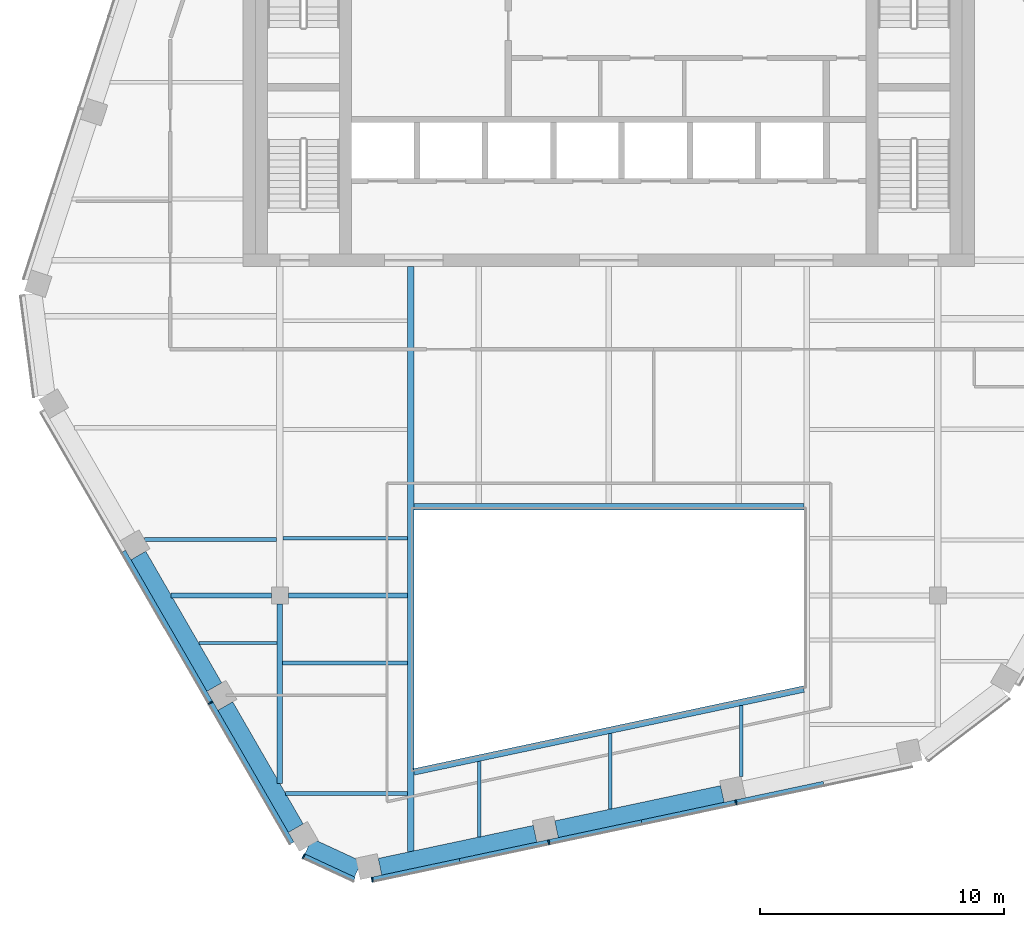
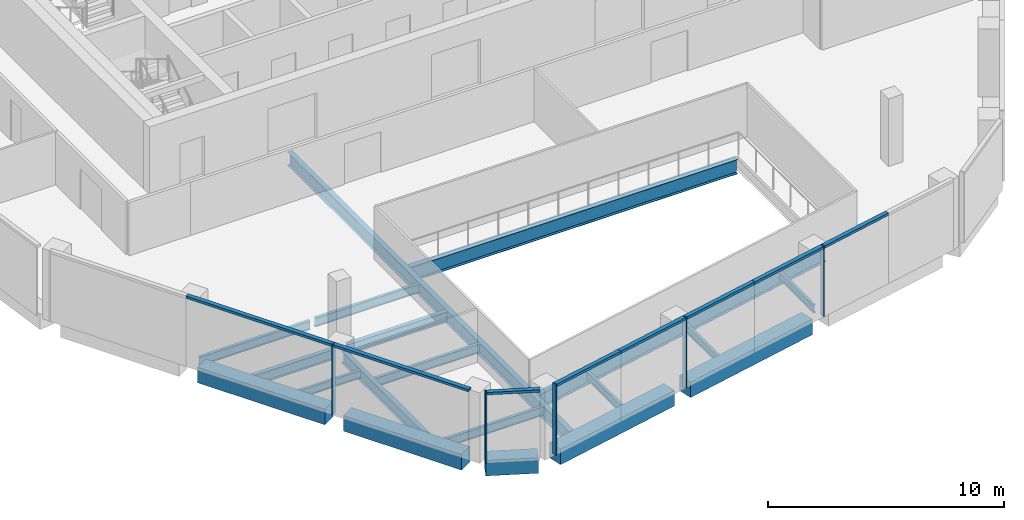
# One storey, part 2 of 15: 19 beams, 13 members, 3 elements without a shape of their own.
"""IFC4 building model written with IfcOpenShell, lengths in metres."""

from ifc_helpers import new_model, si_unit, direction, frame, origin, origin_2d, place, context, subcontext, project, spatial, rectangle, i_section, extrude, material, layer, layer_set, material_profile, profile_set, type_object, element, aggregate, save


model = new_model("IFC4")

# Units and contexts
model_context = context("Model", 3, precision=1e-05, world=origin(), true_north=direction((0.0, 1.0)))
body_context = subcontext(model_context, "Body", "Model", "MODEL_VIEW")
ifc_project = project(units=[si_unit("LENGTHUNIT", "METRE"), si_unit("AREAUNIT", "SQUARE_METRE"), si_unit("VOLUMEUNIT", "CUBIC_METRE"), si_unit("PLANEANGLEUNIT", "RADIAN"), si_unit("MASSUNIT", "GRAM", prefix="KILO")], contexts=[model_context])

# Site, building, storey
site_placement = place(None, origin())
site = spatial("IfcSite", under=ifc_project, at=site_placement, CompositionType="ELEMENT")
building_placement = place(site_placement, origin())
building = spatial("IfcBuilding", under=site, at=building_placement, Name="Isthmus Gate Tower", CompositionType="ELEMENT")
storey_placement = place(building_placement, frame((0.0, 0.0, 282.85009765625)))
storey = spatial("IfcBuildingStorey", under=building, at=storey_placement, Name="L72", CompositionType="ELEMENT", Elevation=282.85009765625)

# Curtain wall, member
ifc_material_1 = material(Name="Aluminium, pale champagne anodised", Category="aluminium")
ifc_layer = layer(ifc_material_1, 0.199951171875)
ifc_layer_set = layer_set([ifc_layer], Name="CW-1 UNITISED CURTAIN WALL 200 DEEP")
curtain_wall_type = type_object("IfcCurtainWallType", Name="CW-1 UNITISED CURTAIN WALL 200 DEEP", PredefinedType="NOTDEFINED", material=ifc_layer_set)
curtain_wall_1_placement = place(storey_placement, origin())
curtain_wall_1 = element("IfcCurtainWall", 1, at=curtain_wall_1_placement, inside=storey, type_object=curtain_wall_type, Name="CW-1 SW L72", PredefinedType="NOTDEFINED")
ifc_material_2 = material(Name="Aluminium, pale champagne anodised", Category="aluminium")
ifc_material_profile_1 = material_profile(ifc_material_2, rectangle(XDim=0.06005859375, YDim=0.199951171875, at=origin_2d()), Name="60x200")
ifc_profile_set_1 = profile_set([ifc_material_profile_1], Name="Aluminium, pale champagne anodised")
member_type_1 = type_object("IfcMemberType", Name="CW-1 MULLION 60 X 200", PredefinedType="MULLION", material=ifc_profile_set_1)
member_1_placement = place(storey_placement, frame((-16.33544921875, -17.90625, 0.0), z_axis=(0.0, 0.0, 1.0), x_axis=(0.5, -0.866025403784, 0.0)))
member_1 = element("IfcMember", 2, at=member_1_placement, type_object=member_type_1, Name="CW-1 mullion", PredefinedType="MULLION", context=body_context, shape_type="SweptSolid", body=[
    extrude(rectangle(XDim=0.06005859375, YDim=0.199951171875, at=origin_2d()), origin(), (0.0, 0.0, 1.0), 3.64990234375),
])

curtain_wall_2_placement = place(storey_placement, origin())
curtain_wall_2 = element("IfcCurtainWall", 3, at=curtain_wall_2_placement, inside=storey, type_object=curtain_wall_type, Name="CW-1 SW-S L72", PredefinedType="NOTDEFINED")
member_2_placement = place(storey_placement, frame((-12.519775390625, -24.201171875, 0.0), z_axis=(0.0, 0.0, 1.0), x_axis=(0.907256261367, -0.420578264073, 0.0)))
member_2 = element("IfcMember", 4, at=member_2_placement, type_object=member_type_1, Name="CW-1 mullion", PredefinedType="MULLION", context=body_context, shape_type="SweptSolid", body=[
    extrude(rectangle(XDim=0.06005859375, YDim=0.199951171875, at=origin_2d()), origin(), (0.0, 0.0, 1.0), 3.64990234375),
])

# Curtain wall, members
curtain_wall_3_placement = place(storey_placement, origin())
curtain_wall_3 = element("IfcCurtainWall", 5, at=curtain_wall_3_placement, inside=storey, type_object=curtain_wall_type, Name="CW-1 S L72", PredefinedType="NOTDEFINED")
member_3_placement = place(storey_placement, frame((-9.70703125, -25.16552734375, 0.0), z_axis=(0.0, 0.0, 1.0), x_axis=(0.978147600734, 0.207911690818, 0.0)))
member_3 = element("IfcMember", 6, at=member_3_placement, type_object=member_type_1, Name="CW-1 mullion", PredefinedType="MULLION", context=body_context, shape_type="SweptSolid", body=[
    extrude(rectangle(XDim=0.06005859375, YDim=0.199951171875, at=origin_2d()), origin(), (0.0, 0.0, 1.0), 3.64990234375),
])
member_4_placement = place(storey_placement, frame((-2.462158203125, -23.62548828125, 0.0), z_axis=(0.0, 0.0, 1.0), x_axis=(0.978147600734, 0.207911690818, 0.0)))
member_4 = element("IfcMember", 7, at=member_4_placement, type_object=member_type_1, Name="CW-1 mullion", PredefinedType="MULLION", context=body_context, shape_type="SweptSolid", body=[
    extrude(rectangle(XDim=0.06005859375, YDim=0.199951171875, at=origin_2d()), origin(), (0.0, 0.0, 1.0), 3.64990234375),
])
member_5_placement = place(storey_placement, frame((5.222900390625, -21.991943359375, 0.0), z_axis=(0.0, 0.0, 1.0), x_axis=(0.978147600734, 0.207911690818, 0.0)))
member_5 = element("IfcMember", 8, at=member_5_placement, type_object=member_type_1, Name="CW-1 mullion", PredefinedType="MULLION", context=body_context, shape_type="SweptSolid", body=[
    extrude(rectangle(XDim=0.06005859375, YDim=0.199951171875, at=origin_2d()), origin(), (0.0, 0.0, 1.0), 3.64990234375),
])

# Member
ifc_material_3 = material(Name="Aluminium, pale champagne anodised", Category="aluminium")
ifc_material_profile_2 = material_profile(ifc_material_3, rectangle(XDim=0.199951171875, YDim=0.1298828125, at=origin_2d()), Name="200x130")
ifc_profile_set_2 = profile_set([ifc_material_profile_2], Name="Aluminium, pale champagne anodised")
member_type_2 = type_object("IfcMemberType", Name="CW-1 TRANSOM 200 X 130", PredefinedType="USERDEFINED", material=ifc_profile_set_2)
member_6_placement = place(storey_placement, frame((-19.917724609375, -11.70166015625, 3.5849609375), z_axis=(0.500010763282, -0.866019189511, 0.0), x_axis=(0.866019189511, 0.500010763282, 0.0)))
member_6 = element("IfcMember", 9, at=member_6_placement, type_object=member_type_2, Name="CW-1 transom", ObjectType="TRANSOM", PredefinedType="USERDEFINED", context=body_context, shape_type="SweptSolid", body=[
    extrude(rectangle(XDim=0.199951171875, YDim=0.1298828125, at=origin_2d()), origin(), (0.0, 0.0, 1.0), 7.134521484375),
])

member_7_placement = place(storey_placement, frame((-16.3203125, -17.932373046875, 3.5849609375), z_axis=(0.500011702555, -0.866018647206, 0.0), x_axis=(0.866018647206, 0.500011702555, 0.0)))
member_7 = element("IfcMember", 10, at=member_7_placement, type_object=member_type_2, Name="CW-1 transom", ObjectType="TRANSOM", PredefinedType="USERDEFINED", context=body_context, shape_type="SweptSolid", body=[
    extrude(rectangle(XDim=0.199951171875, YDim=0.1298828125, at=origin_2d()), origin(), (0.0, 0.0, 1.0), 6.624267578125),
])

aggregate(curtain_wall_1, [member_6, member_1, member_7])

member_8_placement = place(storey_placement, frame((-12.49267578125, -24.213623046875, 3.5849609375), z_axis=(0.907246225564, -0.420599912268, 0.0), x_axis=(0.420599912268, 0.907246225564, 0.0)))
member_8 = element("IfcMember", 11, at=member_8_placement, type_object=member_type_2, Name="CW-1 transom", ObjectType="TRANSOM", PredefinedType="USERDEFINED", context=body_context, shape_type="SweptSolid", body=[
    extrude(rectangle(XDim=0.199951171875, YDim=0.1298828125, at=origin_2d()), origin(), (0.0, 0.0, 1.0), 2.258544921875),
])

aggregate(curtain_wall_2, [member_2, member_8])

member_9_placement = place(storey_placement, frame((-9.677734375, -25.1591796875, 3.5849609375), z_axis=(0.9781569775, 0.207867571707, 0.0), x_axis=(-0.207867571707, 0.9781569775, 0.0)))
member_9 = element("IfcMember", 12, at=member_9_placement, type_object=member_type_2, Name="CW-1 transom", ObjectType="TRANSOM", PredefinedType="USERDEFINED", context=body_context, shape_type="SweptSolid", body=[
    extrude(rectangle(XDim=0.199951171875, YDim=0.1298828125, at=origin_2d()), origin(), (0.0, 0.0, 1.0), 3.643310546875),
])

member_10_placement = place(storey_placement, frame((-6.114013671875, -24.40185546875, 3.5849609375), z_axis=(0.978146451283, 0.207917098487, 0.0), x_axis=(-0.207917098487, 0.978146451283, 0.0)))
member_10 = element("IfcMember", 13, at=member_10_placement, type_object=member_type_2, Name="CW-1 transom", ObjectType="TRANSOM", PredefinedType="USERDEFINED", context=body_context, shape_type="SweptSolid", body=[
    extrude(rectangle(XDim=0.199951171875, YDim=0.1298828125, at=origin_2d()), origin(), (0.0, 0.0, 1.0), 3.70361328125),
])

member_11_placement = place(storey_placement, frame((-2.432861328125, -23.619384765625, 3.5849609375), z_axis=(0.978140080964, 0.207947065409, 0.0), x_axis=(-0.207947065409, 0.978140080964, 0.0)))
member_11 = element("IfcMember", 14, at=member_11_placement, type_object=member_type_2, Name="CW-1 transom", ObjectType="TRANSOM", PredefinedType="USERDEFINED", context=body_context, shape_type="SweptSolid", body=[
    extrude(rectangle(XDim=0.199951171875, YDim=0.1298828125, at=origin_2d()), origin(), (0.0, 0.0, 1.0), 3.868408203125),
])

member_12_placement = place(storey_placement, frame((1.35107421875, -22.81494140625, 3.5849609375), z_axis=(0.978153006411, 0.207886257478, 0.0), x_axis=(-0.207886257478, 0.978153006411, 0.0)))
member_12 = element("IfcMember", 15, at=member_12_placement, type_object=member_type_2, Name="CW-1 transom", ObjectType="TRANSOM", PredefinedType="USERDEFINED", context=body_context, shape_type="SweptSolid", body=[
    extrude(rectangle(XDim=0.199951171875, YDim=0.1298828125, at=origin_2d()), origin(), (0.0, 0.0, 1.0), 3.928466796875),
])

member_13_placement = place(storey_placement, frame((5.25244140625, -21.98583984375, 3.5849609375), z_axis=(0.978143350472, 0.207931685724, 0.0), x_axis=(-0.207931685724, 0.978143350472, 0.0)))
member_13 = element("IfcMember", 16, at=member_13_placement, type_object=member_type_2, Name="CW-1 transom", ObjectType="TRANSOM", PredefinedType="USERDEFINED", context=body_context, shape_type="SweptSolid", body=[
    extrude(rectangle(XDim=0.199951171875, YDim=0.1298828125, at=origin_2d()), origin(), (0.0, 0.0, 1.0), 3.643310546875),
])

aggregate(curtain_wall_3, [member_3, member_9, member_10, member_4, member_11, member_12, member_5, member_13])

# Beams
ifc_material_4 = material(Name="Concrete f'c 50 MPa", Category="concrete")
ifc_material_profile_3 = material_profile(ifc_material_4, rectangle(XDim=0.699951171875, YDim=0.800048828125, at=origin_2d()), Name="RC 700X800")
ifc_profile_set_3 = profile_set([ifc_material_profile_3], Name="Concrete f'c 50 MPa")
beam_type_1 = type_object("IfcBeamType", Name="RC SPANDREL 700 X 800", PredefinedType="SPANDREL", material=ifc_profile_set_3)
beam_1_placement = place(storey_placement, frame((4.659912109375, -21.651611328125, -0.400146484375), z_axis=(-0.978143150477, -0.207932626528, 0.0), x_axis=(0.207932626528, -0.978143150477, 0.0)))
element("IfcBeam", 17, at=beam_1_placement, inside=storey, type_object=beam_type_1, Name="str-spandrel-L72-10", PredefinedType="SPANDREL", context=body_context, shape_type="SweptSolid", body=[
    extrude(rectangle(XDim=0.699951171875, YDim=0.800048828125, at=origin_2d()), origin(), (0.0, 0.0, 1.0), 6.956787109375),
])
beam_2_placement = place(storey_placement, frame((-3.025146484375, -23.28515625, -0.400146484375), z_axis=(-0.97815026796, -0.207899142108, 0.0), x_axis=(0.207899142108, -0.97815026796, 0.0)))
element("IfcBeam", 18, at=beam_2_placement, inside=storey, type_object=beam_type_1, Name="str-spandrel-L72-11", PredefinedType="SPANDREL", context=body_context, shape_type="SweptSolid", body=[
    extrude(rectangle(XDim=0.699951171875, YDim=0.800048828125, at=origin_2d()), origin(), (0.0, 0.0, 1.0), 6.5068359375),
])
beam_3_placement = place(storey_placement, frame((-10.288330078125, -24.739501953125, -0.400146484375), z_axis=(-0.907254968276, 0.42058105347, 0.0), x_axis=(-0.42058105347, -0.907254968276, 0.0)))
element("IfcBeam", 19, at=beam_3_placement, inside=storey, type_object=beam_type_1, Name="str-spandrel-L72-12", PredefinedType="SPANDREL", context=body_context, shape_type="SweptSolid", body=[
    extrude(rectangle(XDim=0.699951171875, YDim=0.800048828125, at=origin_2d()), origin(), (0.0, 0.0, 1.0), 2.245849609375),
])
beam_4_placement = place(storey_placement, frame((-12.843505859375, -23.0546875, -0.400146484375), z_axis=(-0.499961143711, 0.866047836311, 0.0), x_axis=(-0.866047836311, -0.499961143711, 0.0)))
element("IfcBeam", 20, at=beam_4_placement, inside=storey, type_object=beam_type_1, Name="str-spandrel-L72-13", PredefinedType="SPANDREL", context=body_context, shape_type="SweptSolid", body=[
    extrude(rectangle(XDim=0.699951171875, YDim=0.800048828125, at=origin_2d()), origin(), (0.0, 0.0, 1.0), 5.78466796875),
])
beam_5_placement = place(storey_placement, frame((-16.185791015625, -17.265625, -0.400146484375), z_axis=(-0.499997027648, 0.866027119866, 0.0), x_axis=(-0.866027119866, -0.499997027648, 0.0)))
element("IfcBeam", 21, at=beam_5_placement, inside=storey, type_object=beam_type_1, Name="str-spandrel-L72-14", PredefinedType="SPANDREL", context=body_context, shape_type="SweptSolid", body=[
    extrude(rectangle(XDim=0.699951171875, YDim=0.800048828125, at=origin_2d()), origin(), (0.0, 0.0, 1.0), 6.234375),
])
ifc_material_5 = material(Name="Structural steel ASTM A992 Gr 50", Category="steel")
ifc_material_profile_4 = material_profile(ifc_material_5, i_section(OverallWidth=0.1396484375, OverallDepth=0.4033203125, WebThickness=0.00634765625, FlangeThickness=0.010986328125, at=origin_2d()), Name="W16X31")
ifc_profile_set_4 = profile_set([ifc_material_profile_4], Name="Structural steel ASTM A992 Gr 50")
beam_type_2 = type_object("IfcBeamType", Name="STEEL FLOOR BEAM W16X31", PredefinedType="JOIST", material=ifc_profile_set_4)
beam_6_placement = place(storey_placement, frame((-16.824951171875, -15.45849609375, -0.351806640625), z_axis=(1.0, 0.0, 0.0), x_axis=(0.0, 1.0, 0.0)))
element("IfcBeam", 22, at=beam_6_placement, inside=storey, type_object=beam_type_2, Name="str-beam-L72-02-00", PredefinedType="JOIST", context=body_context, shape_type="SweptSolid", body=[
    extrude(i_section(OverallWidth=0.1396484375, OverallDepth=0.4033203125, WebThickness=0.00634765625, FlangeThickness=0.010986328125, at=origin_2d()), origin(), (0.0, 0.0, 1.0), 3.210693359375),
])
for number, where, z_axis, x_axis, name in (
    (23, (-5.314208984375, -23.4140625, -0.351806640625), (0.0, 1.0, 0.0), (-1.0, 0.0, 0.0), "str-beam-L72-05-00"),
    (24, (0.05712890625, -22.272216796875, -0.351806640625), (0.0, 1.0, 0.0), (-1.0, 0.0, 0.0), "str-beam-L72-05-01"),
):
    element("IfcBeam", number, at=place(storey_placement, frame(where, z_axis=z_axis, x_axis=x_axis)), inside=storey, type_object=beam_type_2, Name=name, PredefinedType="JOIST", context=body_context, shape_type="SweptSolid", body=[
        extrude(i_section(OverallWidth=0.1396484375, OverallDepth=0.4033203125, WebThickness=0.00634765625, FlangeThickness=0.010986328125, at=origin_2d()), origin(), (0.0, 0.0, 1.0), 3.10107421875),
    ])
beam_7_placement = place(storey_placement, frame((5.428466796875, -20.939208984375, -0.351806640625), z_axis=(0.0, 1.0, 0.0), x_axis=(-1.0, 0.0, 0.0)))
element("IfcBeam", 25, at=beam_7_placement, inside=storey, type_object=beam_type_2, Name="str-beam-L72-05-02", PredefinedType="JOIST", context=body_context, shape_type="SweptSolid", body=[
    extrude(i_section(OverallWidth=0.1396484375, OverallDepth=0.4033203125, WebThickness=0.00634765625, FlangeThickness=0.010986328125, at=origin_2d()), origin(), (0.0, 0.0, 1.0), 2.909912109375),
])
ifc_material_6 = material(Name="Structural steel ASTM A992 Gr 50", Category="steel")
ifc_material_profile_5 = material_profile(ifc_material_6, i_section(OverallWidth=0.15234375, OverallDepth=0.45068359375, WebThickness=0.0078125, FlangeThickness=0.010986328125, at=origin_2d()), Name="W18X35")
ifc_profile_set_5 = profile_set([ifc_material_profile_5], Name="Structural steel ASTM A992 Gr 50")
beam_type_3 = type_object("IfcBeamType", Name="STEEL FLOOR BEAM W18X35", PredefinedType="JOIST", material=ifc_profile_set_5)
beam_8_placement = place(storey_placement, frame((-19.0478515625, -11.208251953125, -0.37548828125), z_axis=(1.0, 0.0, 0.0), x_axis=(0.0, 1.0, 0.0)))
element("IfcBeam", 26, at=beam_8_placement, inside=storey, type_object=beam_type_3, Name="str-beam-L72-01-00", PredefinedType="JOIST", context=body_context, shape_type="SweptSolid", body=[
    extrude(i_section(OverallWidth=0.15234375, OverallDepth=0.45068359375, WebThickness=0.0078125, FlangeThickness=0.010986328125, at=origin_2d()), origin(), (0.0, 0.0, 1.0), 5.416015625),
])
beam_9_placement = place(storey_placement, frame((-13.3681640625, -11.16259765625, -0.37548828125), z_axis=(1.0, 0.0, 0.0), x_axis=(0.0, 1.0, 0.0)))
element("IfcBeam", 27, at=beam_9_placement, inside=storey, type_object=beam_type_3, Name="str-beam-L72-03-00", PredefinedType="JOIST", context=body_context, shape_type="SweptSolid", body=[
    extrude(i_section(OverallWidth=0.15234375, OverallDepth=0.45068359375, WebThickness=0.0078125, FlangeThickness=0.010986328125, at=origin_2d()), origin(), (0.0, 0.0, 1.0), 5.1142578125),
])
beam_10_placement = place(storey_placement, frame((-13.2587890625, -21.635009765625, -0.37548828125), z_axis=(1.0, 0.0, 0.0), x_axis=(0.0, 1.0, 0.0)))
element("IfcBeam", 28, at=beam_10_placement, inside=storey, type_object=beam_type_3, Name="str-beam-L72-04-00", PredefinedType="JOIST", context=body_context, shape_type="SweptSolid", body=[
    extrude(i_section(OverallWidth=0.15234375, OverallDepth=0.45068359375, WebThickness=0.0078125, FlangeThickness=0.010986328125, at=origin_2d()), origin(), (0.0, 0.0, 1.0), 5.0048828125),
])
beam_11_placement = place(storey_placement, frame((-13.3857421875, -16.281494140625, -0.37548828125), z_axis=(1.0, 0.0, 0.0), x_axis=(0.0, 1.0, 0.0)))
element("IfcBeam", 29, at=beam_11_placement, inside=storey, type_object=beam_type_3, Name="str-beam-L72-04-01", PredefinedType="JOIST", context=body_context, shape_type="SweptSolid", body=[
    extrude(i_section(OverallWidth=0.15234375, OverallDepth=0.45068359375, WebThickness=0.0078125, FlangeThickness=0.010986328125, at=origin_2d()), origin(), (0.0, 0.0, 1.0), 5.1318359375),
])
ifc_material_7 = material(Name="Structural steel ASTM A992 Gr 50", Category="steel")
ifc_material_profile_6 = material_profile(ifc_material_7, i_section(OverallWidth=0.20947265625, OverallDepth=0.533447265625, WebThickness=0.009521484375, FlangeThickness=0.015869140625, at=origin_2d()), Name="W21X62")
ifc_profile_set_6 = profile_set([ifc_material_profile_6], Name="Structural steel ASTM A992 Gr 50")
beam_type_4 = type_object("IfcBeamType", Name="STEEL GIRDER W21X62", PredefinedType="BEAM", material=ifc_profile_set_6)
beam_12_placement = place(storey_placement, frame((-17.95556640625, -13.5, -0.416748046875), z_axis=(1.0, 0.0, 0.0), x_axis=(0.0, 1.0, 0.0)))
element("IfcBeam", 30, at=beam_12_placement, inside=storey, type_object=beam_type_4, Name="str-girder-L72-01", PredefinedType="BEAM", context=body_context, shape_type="SweptSolid", body=[
    extrude(i_section(OverallWidth=0.20947265625, OverallDepth=0.533447265625, WebThickness=0.009521484375, FlangeThickness=0.015869140625, at=origin_2d()), origin(), (0.0, 0.0, 1.0), 4.10546875),
])
beam_13_placement = place(storey_placement, frame((-13.14990234375, -13.5, -0.416748046875), z_axis=(1.0, 0.0, 0.0), x_axis=(0.0, 1.0, 0.0)))
element("IfcBeam", 31, at=beam_13_placement, inside=storey, type_object=beam_type_4, Name="str-girder-L72-02", PredefinedType="BEAM", context=body_context, shape_type="SweptSolid", body=[
    extrude(i_section(OverallWidth=0.20947265625, OverallDepth=0.533447265625, WebThickness=0.009521484375, FlangeThickness=0.015869140625, at=origin_2d()), origin(), (0.0, 0.0, 1.0), 4.89599609375),
])
ifc_material_8 = material(Name="Structural steel ASTM A992 Gr 50", Category="steel")
ifc_material_profile_7 = material_profile(ifc_material_8, i_section(OverallWidth=0.228515625, OverallDepth=0.603271484375, WebThickness=0.010986328125, FlangeThickness=0.014404296875, at=origin_2d()), Name="W24X68")
ifc_profile_set_7 = profile_set([ifc_material_profile_7], Name="Structural steel ASTM A992 Gr 50")
beam_type_5 = type_object("IfcBeamType", Name="STEEL GIRDER W24X68", PredefinedType="BEAM", material=ifc_profile_set_7)
beam_14_placement = place(storey_placement, frame((-13.5, -21.21728515625, -0.45166015625), z_axis=(0.0, 1.0, 0.0), x_axis=(-1.0, 0.0, 0.0)))
element("IfcBeam", 32, at=beam_14_placement, inside=storey, type_object=beam_type_5, Name="str-girder-L72-05", PredefinedType="BEAM", context=body_context, shape_type="SweptSolid", body=[
    extrude(i_section(OverallWidth=0.228515625, OverallDepth=0.603271484375, WebThickness=0.010986328125, FlangeThickness=0.014404296875, at=origin_2d()), origin(), (0.0, 0.0, 1.0), 7.3671875),
])
ifc_material_9 = material(Name="Structural steel ASTM A992 Gr 50", Category="steel")
ifc_material_profile_8 = material_profile(ifc_material_9, i_section(OverallWidth=0.25390625, OverallDepth=0.679443359375, WebThickness=0.010986328125, FlangeThickness=0.015869140625, at=origin_2d()), Name="W27X84")
ifc_profile_set_8 = profile_set([ifc_material_profile_8], Name="Structural steel ASTM A992 Gr 50")
beam_type_6 = type_object("IfcBeamType", Name="STEEL TRIMMER W27X84", PredefinedType="BEAM", material=ifc_profile_set_8)
beam_15_placement = place(storey_placement, frame((-8.126953125, 0.0, -0.48974609375), z_axis=(0.0, -1.0, 0.0), x_axis=(1.0, 0.0, 0.0)))
element("IfcBeam", 33, at=beam_15_placement, inside=storey, type_object=beam_type_6, Name="str-trimmer-L72-02", PredefinedType="BEAM", context=body_context, shape_type="SweptSolid", body=[
    extrude(i_section(OverallWidth=0.25390625, OverallDepth=0.679443359375, WebThickness=0.010986328125, FlangeThickness=0.015869140625, at=origin_2d()), origin(), (0.0, 0.0, 1.0), 24.01171875),
])
ifc_material_10 = material(Name="Structural steel ASTM A992 Gr 50", Category="steel")
ifc_material_profile_9 = material_profile(ifc_material_10, i_section(OverallWidth=0.2666015625, OverallDepth=0.7587890625, WebThickness=0.014404296875, FlangeThickness=0.01904296875, at=origin_2d()), Name="W30X108")
ifc_profile_set_9 = profile_set([ifc_material_profile_9], Name="Structural steel ASTM A992 Gr 50")
beam_type_7 = type_object("IfcBeamType", Name="STEEL TRIMMER W30X108", PredefinedType="BEAM", material=ifc_profile_set_9)
beam_16_placement = place(storey_placement, frame((-8.0, -20.747314453125, -0.529541015625), z_axis=(0.978147924985, 0.20791016533, 0.0), x_axis=(-0.20791016533, 0.978147924985, 0.0)))
element("IfcBeam", 34, at=beam_16_placement, inside=storey, type_object=beam_type_7, Name="str-trimmer-L72-03", PredefinedType="BEAM", context=body_context, shape_type="SweptSolid", body=[
    extrude(i_section(OverallWidth=0.2666015625, OverallDepth=0.7587890625, WebThickness=0.014404296875, FlangeThickness=0.01904296875, at=origin_2d()), origin(), (0.0, 0.0, 1.0), 16.357421875),
])
beam_17_placement = place(storey_placement, frame((8.0, -9.86669921875, -0.529541015625), z_axis=(-1.0, 0.0, 0.0), x_axis=(0.0, -1.0, 0.0)))
element("IfcBeam", 35, at=beam_17_placement, inside=storey, type_object=beam_type_7, Name="str-trimmer-L72-04", PredefinedType="BEAM", context=body_context, shape_type="SweptSolid", body=[
    extrude(i_section(OverallWidth=0.2666015625, OverallDepth=0.7587890625, WebThickness=0.014404296875, FlangeThickness=0.01904296875, at=origin_2d()), origin(), (0.0, 0.0, 1.0), 16.0),
])

save(model, "model.ifc")
